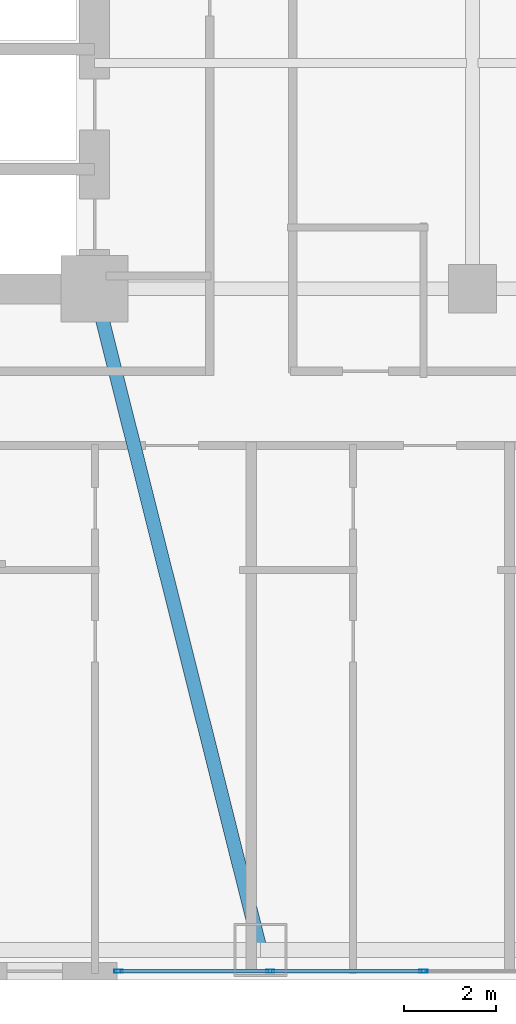
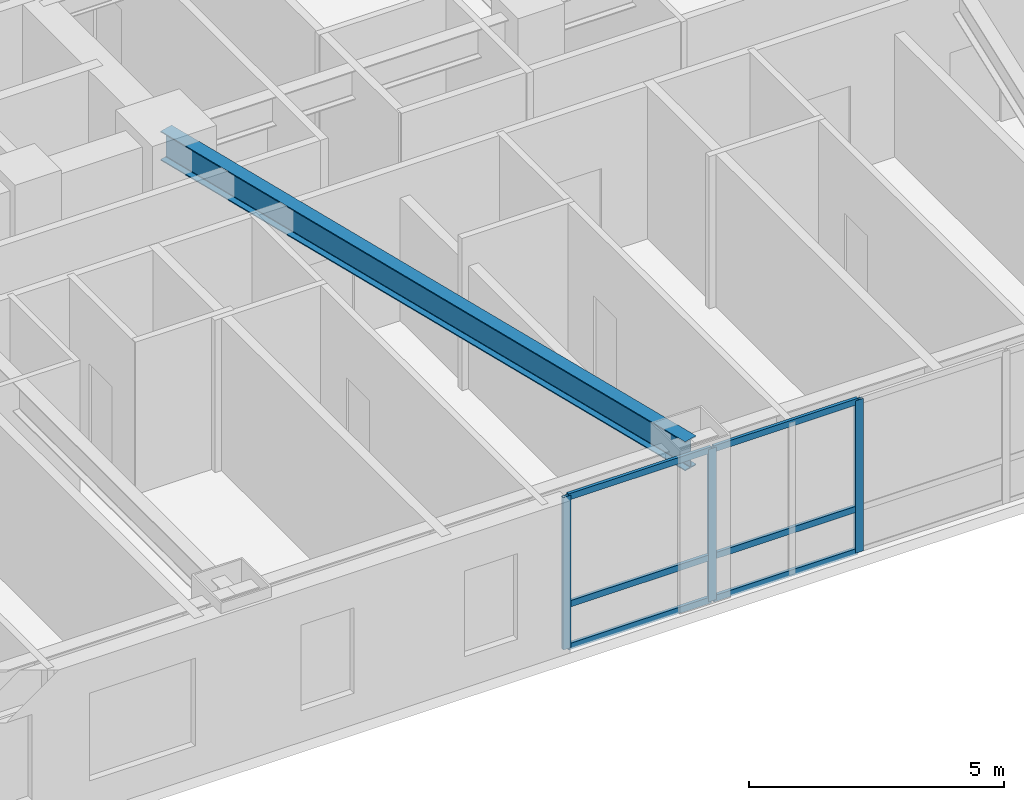
# One storey, part 2 of 28: 9 members, 1 beam, 1 element without a shape of its own.
"""IFC4 building model written with IfcOpenShell, lengths in metres."""

from ifc_helpers import new_model, si_unit, direction, frame, origin, origin_2d, place, context, subcontext, project, spatial, hollow_rectangle, i_section, extrude, material, layer, layer_set, material_profile, profile_set, type_object, element, aggregate, save


model = new_model("IFC4")

# Units and contexts
model_context = context("Model", 3, precision=1e-05, world=origin(), true_north=direction((0.0, 1.0)))
body_context = subcontext(model_context, "Body", "Model", "MODEL_VIEW")
ifc_project = project(units=[si_unit("LENGTHUNIT", "METRE"), si_unit("AREAUNIT", "SQUARE_METRE"), si_unit("VOLUMEUNIT", "CUBIC_METRE"), si_unit("PLANEANGLEUNIT", "RADIAN"), si_unit("MASSUNIT", "GRAM", prefix="KILO")], contexts=[model_context])

# Site, building, storey
site_placement = place(None, origin())
site = spatial("IfcSite", under=ifc_project, at=site_placement, CompositionType="ELEMENT")
building_placement = place(site_placement, origin())
building = spatial("IfcBuilding", under=site, at=building_placement, Name="Voryun Gate Residences", CompositionType="ELEMENT")
storey_placement = place(building_placement, frame((0.0, 0.0, 61.10009765625)))
storey = spatial("IfcBuildingStorey", under=building, at=storey_placement, Name="L14", CompositionType="ELEMENT", Elevation=61.10009765625)

# Beam
ifc_material_1 = material(Name="Steel SM355", Category="steel")
ifc_material_profile_1 = material_profile(ifc_material_1, i_section(OverallWidth=0.300048828125, OverallDepth=0.699951171875, WebThickness=0.012939453125, FlangeThickness=0.02392578125, FilletRadius=0.01806640625, at=origin_2d()), Name="H-700x300x13x24")
ifc_profile_set_1 = profile_set([ifc_material_profile_1], Name="Steel SM355")
beam_type = type_object("IfcBeamType", Name="BM_GIRD_700", PredefinedType="USERDEFINED", material=ifc_profile_set_1)
beam_placement = place(storey_placement, frame((-12.39990234375, -7.39990234375, 3.2998046875), z_axis=(0.243319869291, -0.969946102218, 0.0), x_axis=(0.969946102218, 0.243319869291, 0.0)))
element("IfcBeam", 1, at=beam_placement, inside=storey, type_object=beam_type, Name="BM-L14-RAD-S3", ObjectType="GIRDER", PredefinedType="USERDEFINED", context=body_context, shape_type="SweptSolid", body=[
    extrude(i_section(OverallWidth=0.300048828125, OverallDepth=0.699951171875, WebThickness=0.012939453125, FlangeThickness=0.02392578125, FilletRadius=0.01806640625, at=origin_2d()), origin(), (0.0, 0.0, 1.0), 14.794677734375),
])

# Curtain wall, members
ifc_material_2 = material(Name="Anodised aluminium", Category="aluminium")
ifc_layer = layer(ifc_material_2, 0.179931640625, Name="CW_SYS_RES_A_DARK_GLASS")
ifc_layer_set = layer_set([ifc_layer], Name="Anodised aluminium")
curtain_wall_type = type_object("IfcCurtainWallType", Name="CW_SYS_RES_A_DARK_GLASS", PredefinedType="NOTDEFINED", material=ifc_layer_set)
curtain_wall_placement = place(storey_placement, origin())
curtain_wall = element("IfcCurtainWall", 2, at=curtain_wall_placement, inside=storey, type_object=curtain_wall_type, Name="Curtain wall CWT-L14-01", PredefinedType="NOTDEFINED")
ifc_material_3 = material(Name="Anodised aluminium", Category="aluminium")
ifc_material_profile_2 = material_profile(ifc_material_3, hollow_rectangle(XDim=0.070068359375, YDim=0.179931640625, WallThickness=0.00390625, at=origin_2d()), Name="ALU-MULL-180x70x4")
ifc_profile_set_2 = profile_set([ifc_material_profile_2], Name="Anodised aluminium")
member_type_1 = type_object("IfcMemberType", Name="CW_MULL_RES", PredefinedType="MULLION", material=ifc_profile_set_2)
member_1_placement = place(storey_placement, frame((-5.2626953125, -22.2099609375, 0.0), z_axis=(0.0, 0.0, 1.0), x_axis=(0.0, -1.0, 0.0)))
member_1 = element("IfcMember", 3, at=member_1_placement, type_object=member_type_1, Name="CW3 mullion 4", PredefinedType="MULLION", context=body_context, shape_type="SweptSolid", body=[
    extrude(hollow_rectangle(XDim=0.070068359375, YDim=0.179931640625, WallThickness=0.00390625, at=origin_2d()), origin(), (0.0, 0.0, 1.0), 3.64990234375),
])
member_2_placement = place(storey_placement, frame((-8.58837890625, -22.2099609375, 0.0), z_axis=(0.0, 0.0, 1.0), x_axis=(0.0, -1.0, 0.0)))
member_2 = element("IfcMember", 4, at=member_2_placement, type_object=member_type_1, Name="CW3 mullion 5", PredefinedType="MULLION", context=body_context, shape_type="SweptSolid", body=[
    extrude(hollow_rectangle(XDim=0.070068359375, YDim=0.179931640625, WallThickness=0.00390625, at=origin_2d()), origin(), (0.0, 0.0, 1.0), 3.64990234375),
])
member_3_placement = place(storey_placement, frame((-11.884033203125, -22.2099609375, 0.0), z_axis=(0.0, 0.0, 1.0), x_axis=(0.0, -1.0, 0.0)))
member_3 = element("IfcMember", 5, at=member_3_placement, type_object=member_type_1, Name="CW3 mullion 6", PredefinedType="MULLION", context=body_context, shape_type="SweptSolid", body=[
    extrude(hollow_rectangle(XDim=0.070068359375, YDim=0.179931640625, WallThickness=0.00390625, at=origin_2d()), origin(), (0.0, 0.0, 1.0), 3.64990234375),
])
ifc_material_4 = material(Name="Anodised aluminium", Category="aluminium")
ifc_material_profile_3 = material_profile(ifc_material_4, hollow_rectangle(XDim=0.070068359375, YDim=0.14990234375, WallThickness=0.00390625, at=origin_2d()), Name="ALU-TRAN-150x70x4")
ifc_profile_set_3 = profile_set([ifc_material_profile_3], Name="Anodised aluminium")
member_type_2 = type_object("IfcMemberType", Name="CW_TRAN_RES", PredefinedType="USERDEFINED", material=ifc_profile_set_3)
member_4_placement = place(storey_placement, frame((-5.292724609375, -22.2099609375, 0.02978515625), z_axis=(-1.0, 0.0, 0.0), x_axis=(0.0, -1.0, 0.0)))
member_4 = element("IfcMember", 6, at=member_4_placement, type_object=member_type_2, Name="CW3 transom 4.1", ObjectType="TRANSOM", PredefinedType="USERDEFINED", context=body_context, shape_type="SweptSolid", body=[
    extrude(hollow_rectangle(XDim=0.070068359375, YDim=0.14990234375, WallThickness=0.00390625, at=origin_2d()), origin(), (0.0, 0.0, 1.0), 3.265625),
])
member_5_placement = place(storey_placement, frame((-5.292724609375, -22.2099609375, 1.0498046875), z_axis=(-1.0, 0.0, 0.0), x_axis=(0.0, -1.0, 0.0)))
member_5 = element("IfcMember", 7, at=member_5_placement, type_object=member_type_2, Name="CW3 transom 4.2", ObjectType="TRANSOM", PredefinedType="USERDEFINED", context=body_context, shape_type="SweptSolid", body=[
    extrude(hollow_rectangle(XDim=0.070068359375, YDim=0.14990234375, WallThickness=0.00390625, at=origin_2d()), origin(), (0.0, 0.0, 1.0), 3.265625),
])
member_6_placement = place(storey_placement, frame((-5.292724609375, -22.2099609375, 3.619873046875), z_axis=(-1.0, 0.0, 0.0), x_axis=(0.0, -1.0, 0.0)))
member_6 = element("IfcMember", 8, at=member_6_placement, type_object=member_type_2, Name="CW3 transom 4.3", ObjectType="TRANSOM", PredefinedType="USERDEFINED", context=body_context, shape_type="SweptSolid", body=[
    extrude(hollow_rectangle(XDim=0.070068359375, YDim=0.14990234375, WallThickness=0.00390625, at=origin_2d()), origin(), (0.0, 0.0, 1.0), 3.265625),
])
member_7_placement = place(storey_placement, frame((-8.618408203125, -22.2099609375, 0.02978515625), z_axis=(-1.0, 0.0, 0.0), x_axis=(0.0, -1.0, 0.0)))
member_7 = element("IfcMember", 9, at=member_7_placement, type_object=member_type_2, Name="CW3 transom 5.1", ObjectType="TRANSOM", PredefinedType="USERDEFINED", context=body_context, shape_type="SweptSolid", body=[
    extrude(hollow_rectangle(XDim=0.070068359375, YDim=0.14990234375, WallThickness=0.00390625, at=origin_2d()), origin(), (0.0, 0.0, 1.0), 3.235595703125),
])
member_8_placement = place(storey_placement, frame((-8.618408203125, -22.2099609375, 1.0498046875), z_axis=(-1.0, 0.0, 0.0), x_axis=(0.0, -1.0, 0.0)))
member_8 = element("IfcMember", 10, at=member_8_placement, type_object=member_type_2, Name="CW3 transom 5.2", ObjectType="TRANSOM", PredefinedType="USERDEFINED", context=body_context, shape_type="SweptSolid", body=[
    extrude(hollow_rectangle(XDim=0.070068359375, YDim=0.14990234375, WallThickness=0.00390625, at=origin_2d()), origin(), (0.0, 0.0, 1.0), 3.235595703125),
])
member_9_placement = place(storey_placement, frame((-8.618408203125, -22.2099609375, 3.619873046875), z_axis=(-1.0, 0.0, 0.0), x_axis=(0.0, -1.0, 0.0)))
member_9 = element("IfcMember", 11, at=member_9_placement, type_object=member_type_2, Name="CW3 transom 5.3", ObjectType="TRANSOM", PredefinedType="USERDEFINED", context=body_context, shape_type="SweptSolid", body=[
    extrude(hollow_rectangle(XDim=0.070068359375, YDim=0.14990234375, WallThickness=0.00390625, at=origin_2d()), origin(), (0.0, 0.0, 1.0), 3.235595703125),
])
aggregate(curtain_wall, [member_1, member_2, member_3, member_4, member_5, member_6, member_7, member_8, member_9])

save(model, "model.ifc")
